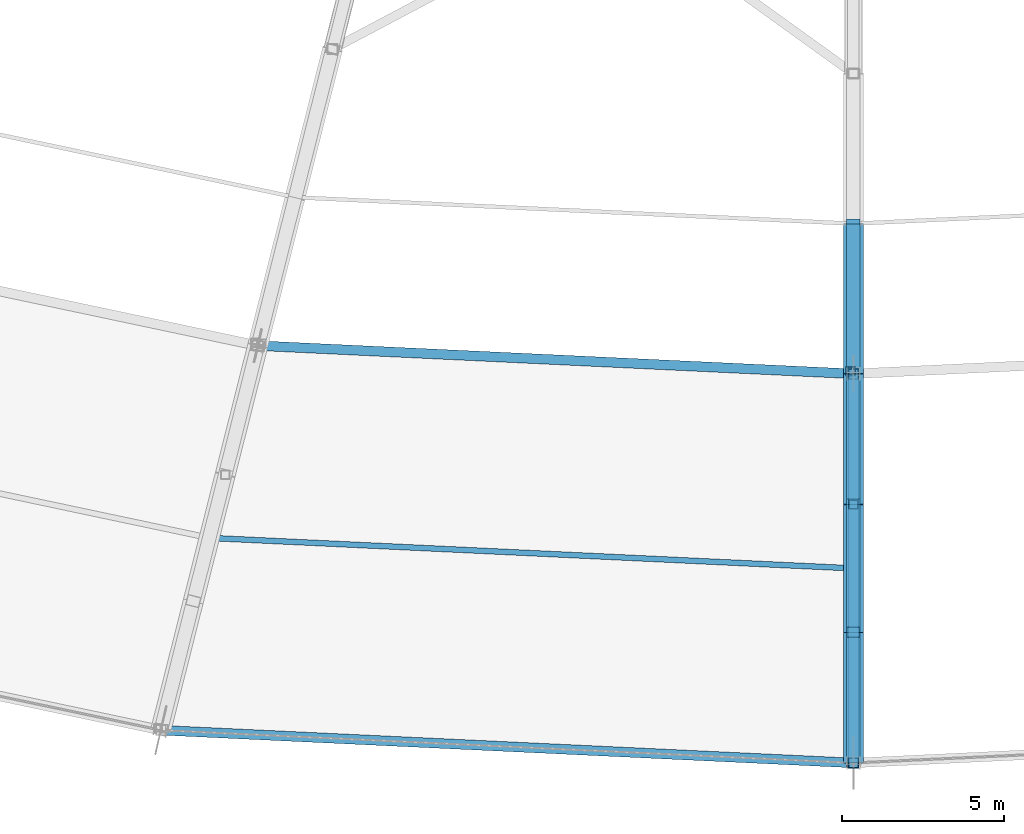
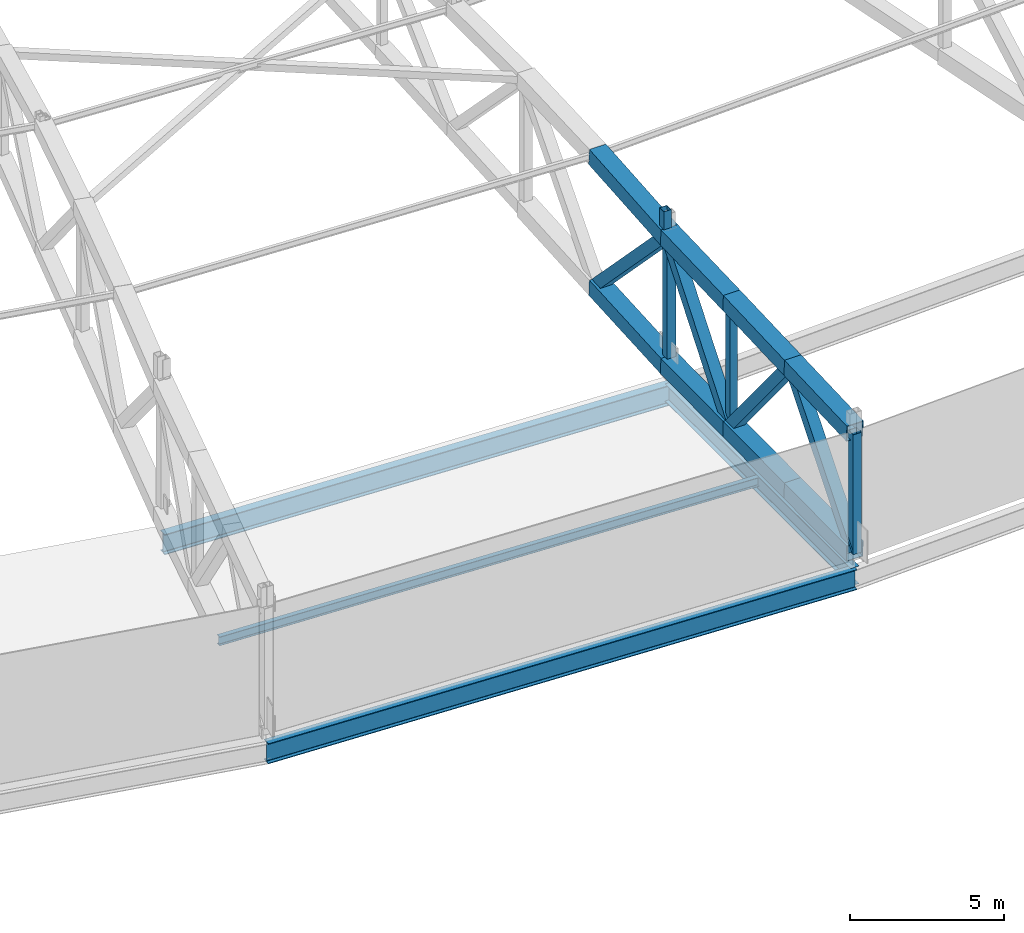
# One storey, part 26 of 162: 16 members, 4 beams.
"""IFC4 building model written with IfcOpenShell, lengths in metres."""

from ifc_helpers import new_model, si_unit, direction, frame, origin, origin_2d, place, context, subcontext, project, spatial, hollow_rectangle, i_section, extrude, material, material_profile, profile_set, type_object, element, save


model = new_model("IFC4")

# Units and contexts
model_context = context("Model", 3, precision=1e-05, world=origin(), true_north=direction((0.0, 1.0)))
body_context = subcontext(model_context, "Body", "Model", "MODEL_VIEW")
ifc_project = project(units=[si_unit("LENGTHUNIT", "METRE"), si_unit("AREAUNIT", "SQUARE_METRE"), si_unit("VOLUMEUNIT", "CUBIC_METRE"), si_unit("PLANEANGLEUNIT", "RADIAN"), si_unit("MASSUNIT", "GRAM", prefix="KILO")], contexts=[model_context])

# Site, building, storey
site_placement = place(None, origin())
site = spatial("IfcSite", under=ifc_project, at=site_placement, CompositionType="ELEMENT")
building_placement = place(site_placement, origin())
building = spatial("IfcBuilding", under=site, at=building_placement, Name="Kazemori Nagisa Stadium", CompositionType="ELEMENT")
storey_placement = place(building_placement, frame((0.0, 0.0, 36.719970703125)))
storey = spatial("IfcBuildingStorey", under=building, at=storey_placement, Name="RF", CompositionType="ELEMENT", Elevation=36.719970703125)

# Beams
ifc_material_1 = material(Name="Steel SN490B", Category="steel")
ifc_material_profile_1 = material_profile(ifc_material_1, i_section(OverallWidth=0.300048828125, OverallDepth=0.699951171875, WebThickness=0.012939453125, FlangeThickness=0.02392578125, FilletRadius=0.01806640625, at=origin_2d()), Name="H-700x300x13x24")
ifc_profile_set_1 = profile_set([ifc_material_profile_1], Name="Steel SN490B")
beam_type_1 = type_object("IfcBeamType", Name="Beam_BG-H700", PredefinedType="BEAM", material=ifc_profile_set_1)
beam_1_placement = place(storey_placement, frame((123.0, 28.0400390625, -0.6298828125), z_axis=(0.0, -1.0, 0.0), x_axis=(1.0, 0.0, 0.0)))
element("IfcBeam", 1, at=beam_1_placement, inside=storey, type_object=beam_type_1, Name="Radial girder BG-H700 RF R2-R3-22", PredefinedType="BEAM", context=body_context, shape_type="SweptSolid", body=[
    extrude(i_section(OverallWidth=0.300048828125, OverallDepth=0.699951171875, WebThickness=0.012939453125, FlangeThickness=0.02392578125, FilletRadius=0.01806640625, at=origin_2d()), origin(), (0.0, 0.0, 1.0), 12.0400390625),
])
ifc_material_profile_2 = material_profile(ifc_material_1, i_section(OverallWidth=0.300048828125, OverallDepth=0.800048828125, WebThickness=0.013916015625, FlangeThickness=0.02587890625, FilletRadius=0.01806640625, at=origin_2d()), Name="H-800x300x14x26")
ifc_profile_set_2 = profile_set([ifc_material_profile_2], Name="Steel SN490B")
beam_type_2 = type_object("IfcBeamType", Name="Beam_BG-H800", PredefinedType="BEAM", material=ifc_profile_set_2)
beam_2_placement = place(storey_placement, frame((104.572265625, 28.911376953125, -0.679931640625), z_axis=(0.9988839804, -0.047231278829, 0.0), x_axis=(0.047231278829, 0.9988839804, 0.0)))
element("IfcBeam", 2, at=beam_2_placement, inside=storey, type_object=beam_type_2, Name="Ring girder BG-H800 RF R2-21", PredefinedType="BEAM", context=body_context, shape_type="SweptSolid", body=[
    extrude(i_section(OverallWidth=0.300048828125, OverallDepth=0.800048828125, WebThickness=0.013916015625, FlangeThickness=0.02587890625, FilletRadius=0.01806640625, at=origin_2d()), origin(), (0.0, 0.0, 1.0), 18.4482421875),
])
beam_3_placement = place(storey_placement, frame((101.572265625, 17.01318359375, -0.679931640625), z_axis=(0.998883994571, -0.047230979144, 0.0), x_axis=(0.047230979144, 0.998883994571, 0.0)))
element("IfcBeam", 3, at=beam_3_placement, inside=storey, type_object=beam_type_2, Name="Roof compression ring beam BG-H800 R3-21", PredefinedType="BEAM", context=body_context, shape_type="SweptSolid", body=[
    extrude(i_section(OverallWidth=0.300048828125, OverallDepth=0.800048828125, WebThickness=0.013916015625, FlangeThickness=0.02587890625, FilletRadius=0.01806640625, at=origin_2d()), origin(), (0.0, 0.0, 1.0), 21.45166015625),
])
ifc_material_profile_3 = material_profile(ifc_material_1, i_section(OverallWidth=0.175048828125, OverallDepth=0.35009765625, WebThickness=0.007080078125, FlangeThickness=0.010986328125, FilletRadius=0.012939453125, at=origin_2d()), Name="H-350x175x7x11")
ifc_profile_set_3 = profile_set([ifc_material_profile_3], Name="Steel SN490B")
beam_type_3 = type_object("IfcBeamType", Name="Beam_BJ-H350", PredefinedType="JOIST", material=ifc_profile_set_3)
beam_4_placement = place(storey_placement, frame((103.217041015625, 22.955322265625, -0.455078125), z_axis=(0.998884234836, -0.047225897525, 0.0), x_axis=(0.047225897525, 0.998884234836, 0.0)))
element("IfcBeam", 4, at=beam_4_placement, inside=storey, type_object=beam_type_3, Name="Outer bay joist BJ-H350 RF B21", PredefinedType="JOIST", context=body_context, shape_type="SweptSolid", body=[
    extrude(i_section(OverallWidth=0.175048828125, OverallDepth=0.35009765625, WebThickness=0.007080078125, FlangeThickness=0.010986328125, FilletRadius=0.012939453125, at=origin_2d()), origin(), (0.0, 0.0, 1.0), 19.66015625),
])

# Members
ifc_material_2 = material(Name="Steel STKR490", Category="steel")
ifc_material_profile_4 = material_profile(ifc_material_2, hollow_rectangle(XDim=0.280029296875, YDim=0.280029296875, WallThickness=0.010009765625, at=origin_2d()), Name="SHS-280x280x10")
ifc_profile_set_4 = profile_set([ifc_material_profile_4], Name="Steel STKR490")
member_type_1 = type_object("IfcMemberType", Name="Member_ST-SHS280", PredefinedType="STUD", material=ifc_profile_set_4)
member_1_placement = place(storey_placement, frame((122.909912109375, 28.119384765625, 5.56005859375), z_axis=(0.0, 0.0, 1.0), x_axis=(1.0, 0.0, 0.0)))
element("IfcMember", 5, at=member_1_placement, inside=storey, type_object=member_type_1, Name="Canopy bearing stool B21-mid-2", PredefinedType="STUD", context=body_context, shape_type="SweptSolid", body=[
    extrude(hollow_rectangle(XDim=0.280029296875, YDim=0.280029296875, WallThickness=0.010009765625, at=origin_2d()), origin(), (0.0, 0.0, 1.0), 1.02099609375),
])
ifc_material_profile_5 = material_profile(ifc_material_2, hollow_rectangle(XDim=0.419921875, YDim=0.419921875, WallThickness=0.01611328125, at=origin_2d()), Name="SHS-420x420x16")
ifc_profile_set_5 = profile_set([ifc_material_profile_5], Name="Steel STKR490")
member_type_2 = type_object("IfcMemberType", Name="Member_TB-SHS420", PredefinedType="BRACE", material=ifc_profile_set_5)
member_2_placement = place(storey_placement, frame((123.0, 16.0, 0.360107421875), z_axis=(0.0, 0.636342931548, 0.771406295975), x_axis=(-1.0, 0.0, 0.0)))
element("IfcMember", 6, at=member_2_placement, inside=storey, type_object=member_type_2, Name="Roof space truss diagonal RT-22-1", PredefinedType="BRACE", context=body_context, shape_type="SweptSolid", body=[
    extrude(hollow_rectangle(XDim=0.419921875, YDim=0.419921875, WallThickness=0.01611328125, at=origin_2d()), origin(), (0.0, 0.0, 1.0), 6.351806640625),
])
member_3_placement = place(storey_placement, frame((123.0, 20.0419921875, 5.260009765625), z_axis=(0.0, 0.634424601348, -0.772984750952), x_axis=(-1.0, 0.0, 0.0)))
element("IfcMember", 7, at=member_3_placement, inside=storey, type_object=member_type_2, Name="Roof space truss diagonal RT-22-2", PredefinedType="BRACE", context=body_context, shape_type="SweptSolid", body=[
    extrude(hollow_rectangle(XDim=0.419921875, YDim=0.419921875, WallThickness=0.01611328125, at=origin_2d()), origin(), (0.0, 0.0, 1.0), 6.235595703125),
])
member_4_placement = place(storey_placement, frame((123.0, 23.998046875, 0.43994140625), z_axis=(0.0, 0.619624872853, 0.784898093348), x_axis=(-1.0, 0.0, 0.0)))
element("IfcMember", 8, at=member_4_placement, inside=storey, type_object=member_type_2, Name="Roof space truss diagonal RT-22-3", PredefinedType="BRACE", context=body_context, shape_type="SweptSolid", body=[
    extrude(hollow_rectangle(XDim=0.419921875, YDim=0.419921875, WallThickness=0.01611328125, at=origin_2d()), origin(), (0.0, 0.0, 1.0), 6.523193359375),
])
member_5_placement = place(storey_placement, frame((123.0, 28.0400390625, 5.56005859375), z_axis=(0.0, 0.69533130382, -0.718689347304), x_axis=(-1.0, 0.0, 0.0)))
element("IfcMember", 9, at=member_5_placement, inside=storey, type_object=member_type_2, Name="Roof space truss diagonal RT-22-4", PredefinedType="BRACE", context=body_context, shape_type="SweptSolid", body=[
    extrude(hollow_rectangle(XDim=0.419921875, YDim=0.419921875, WallThickness=0.01611328125, at=origin_2d()), origin(), (0.0, 0.0, 1.0), 6.678955078125),
])
ifc_material_profile_6 = material_profile(ifc_material_2, hollow_rectangle(XDim=0.6201171875, YDim=0.6201171875, WallThickness=0.02197265625, at=origin_2d()), Name="SHS-620x620x22")
ifc_profile_set_6 = profile_set([ifc_material_profile_6], Name="Steel STKR490")
member_type_3 = type_object("IfcMemberType", Name="Member_TC-SHS620", PredefinedType="CHORD", material=ifc_profile_set_6)
member_6_placement = place(storey_placement, frame((123.0, 16.0, 5.10009765625), z_axis=(0.0, 0.999218314036, 0.039531770699), x_axis=(-1.0, 0.0, 0.0)))
element("IfcMember", 10, at=member_6_placement, inside=storey, type_object=member_type_3, Name="Roof space truss top chord RT-22-1", PredefinedType="CHORD", context=body_context, shape_type="SweptSolid", body=[
    extrude(hollow_rectangle(XDim=0.6201171875, YDim=0.6201171875, WallThickness=0.02197265625, at=origin_2d()), origin(), (0.0, 0.0, 1.0), 4.045166015625),
])
member_7_placement = place(storey_placement, frame((123.0, 16.0, 0.360107421875), z_axis=(0.0, 0.999950941428, 0.009905288378), x_axis=(-1.0, 0.0, 0.0)))
element("IfcMember", 11, at=member_7_placement, inside=storey, type_object=member_type_3, Name="Roof space truss bottom chord RT-22-1", PredefinedType="CHORD", context=body_context, shape_type="SweptSolid", body=[
    extrude(hollow_rectangle(XDim=0.6201171875, YDim=0.6201171875, WallThickness=0.02197265625, at=origin_2d()), origin(), (0.0, 0.0, 1.0), 4.042236328125),
])
member_8_placement = place(storey_placement, frame((123.0, 20.0419921875, 5.260009765625), z_axis=(0.0, 0.999184025996, 0.040389134598), x_axis=(-1.0, 0.0, 0.0)))
element("IfcMember", 12, at=member_8_placement, inside=storey, type_object=member_type_3, Name="Roof space truss top chord RT-22-2", PredefinedType="CHORD", context=body_context, shape_type="SweptSolid", body=[
    extrude(hollow_rectangle(XDim=0.6201171875, YDim=0.6201171875, WallThickness=0.02197265625, at=origin_2d()), origin(), (0.0, 0.0, 1.0), 3.959228515625),
])
member_9_placement = place(storey_placement, frame((123.0, 20.0419921875, 0.400146484375), z_axis=(0.0, 0.999949409638, 0.01005873573), x_axis=(-1.0, 0.0, 0.0)))
element("IfcMember", 13, at=member_9_placement, inside=storey, type_object=member_type_3, Name="Roof space truss bottom chord RT-22-2", PredefinedType="CHORD", context=body_context, shape_type="SweptSolid", body=[
    extrude(hollow_rectangle(XDim=0.6201171875, YDim=0.6201171875, WallThickness=0.02197265625, at=origin_2d()), origin(), (0.0, 0.0, 1.0), 3.956298828125),
])
member_10_placement = place(storey_placement, frame((123.0, 23.998046875, 5.419921875), z_axis=(0.0, 0.999399529543, 0.034649391759), x_axis=(-1.0, 0.0, 0.0)))
element("IfcMember", 14, at=member_10_placement, inside=storey, type_object=member_type_3, Name="Roof space truss top chord RT-22-3", PredefinedType="CHORD", context=body_context, shape_type="SweptSolid", body=[
    extrude(hollow_rectangle(XDim=0.6201171875, YDim=0.6201171875, WallThickness=0.02197265625, at=origin_2d()), origin(), (0.0, 0.0, 1.0), 4.04443359375),
])
member_11_placement = place(storey_placement, frame((123.0, 23.998046875, 0.43994140625), z_axis=(0.0, 0.999950941428, 0.009905288378), x_axis=(-1.0, 0.0, 0.0)))
element("IfcMember", 15, at=member_11_placement, inside=storey, type_object=member_type_3, Name="Roof space truss bottom chord RT-22-3", PredefinedType="CHORD", context=body_context, shape_type="SweptSolid", body=[
    extrude(hollow_rectangle(XDim=0.6201171875, YDim=0.6201171875, WallThickness=0.02197265625, at=origin_2d()), origin(), (0.0, 0.0, 1.0), 4.042236328125),
])
member_12_placement = place(storey_placement, frame((123.0, 28.0400390625, 5.56005859375), z_axis=(0.0, 0.996843376654, 0.079393213943), x_axis=(-1.0, 0.0, 0.0)))
element("IfcMember", 16, at=member_12_placement, inside=storey, type_object=member_type_3, Name="Roof space truss top chord RT-22-4", PredefinedType="CHORD", context=body_context, shape_type="SweptSolid", body=[
    extrude(hollow_rectangle(XDim=0.6201171875, YDim=0.6201171875, WallThickness=0.02197265625, at=origin_2d()), origin(), (0.0, 0.0, 1.0), 4.65869140625),
])
member_13_placement = place(storey_placement, frame((123.0, 28.0400390625, 0.47998046875), z_axis=(0.0, 0.99818698182, 0.060189279158), x_axis=(-1.0, 0.0, 0.0)))
element("IfcMember", 17, at=member_13_placement, inside=storey, type_object=member_type_3, Name="Roof space truss bottom chord RT-22-4", PredefinedType="CHORD", context=body_context, shape_type="SweptSolid", body=[
    extrude(hollow_rectangle(XDim=0.6201171875, YDim=0.6201171875, WallThickness=0.02197265625, at=origin_2d()), origin(), (0.0, 0.0, 1.0), 4.652587890625),
])
ifc_material_profile_7 = material_profile(ifc_material_2, hollow_rectangle(XDim=0.280029296875, YDim=0.280029296875, WallThickness=0.010009765625, at=origin_2d()), Name="SHS-280x280x10")
ifc_profile_set_7 = profile_set([ifc_material_profile_7], Name="Steel STKR490")
member_type_4 = type_object("IfcMemberType", Name="Member_TS-SHS280", PredefinedType="STRUT", material=ifc_profile_set_7)
member_14_placement = place(storey_placement, frame((123.0, 23.998046875, 0.43994140625), z_axis=(0.0, 0.0, 1.0), x_axis=(1.0, 0.0, 0.0)))
element("IfcMember", 18, at=member_14_placement, inside=storey, type_object=member_type_4, Name="Roof space truss strut RT-22-3", PredefinedType="STRUT", context=body_context, shape_type="SweptSolid", body=[
    extrude(hollow_rectangle(XDim=0.280029296875, YDim=0.280029296875, WallThickness=0.010009765625, at=origin_2d()), origin(), (0.0, 0.0, 1.0), 4.97998046875),
])
ifc_material_profile_8 = material_profile(ifc_material_2, hollow_rectangle(XDim=0.320068359375, YDim=0.320068359375, WallThickness=0.011962890625, at=origin_2d()), Name="SHS-320x320x12")
ifc_profile_set_8 = profile_set([ifc_material_profile_8], Name="Steel STKR490")
member_type_5 = type_object("IfcMemberType", Name="Member_TS-SHS320", PredefinedType="STRUT", material=ifc_profile_set_8)
member_15_placement = place(storey_placement, frame((123.0, 16.0, 0.360107421875), z_axis=(0.0, 0.0, 1.0), x_axis=(1.0, 0.0, 0.0)))
element("IfcMember", 19, at=member_15_placement, inside=storey, type_object=member_type_5, Name="Roof space truss strut RT-22-1", PredefinedType="STRUT", context=body_context, shape_type="SweptSolid", body=[
    extrude(hollow_rectangle(XDim=0.320068359375, YDim=0.320068359375, WallThickness=0.011962890625, at=origin_2d()), origin(), (0.0, 0.0, 1.0), 4.739990234375),
])
member_16_placement = place(storey_placement, frame((123.0, 28.0400390625, 0.47998046875), z_axis=(0.0, 0.0, 1.0), x_axis=(1.0, 0.0, 0.0)))
element("IfcMember", 20, at=member_16_placement, inside=storey, type_object=member_type_5, Name="Roof space truss strut RT-22-4", PredefinedType="STRUT", context=body_context, shape_type="SweptSolid", body=[
    extrude(hollow_rectangle(XDim=0.320068359375, YDim=0.320068359375, WallThickness=0.011962890625, at=origin_2d()), origin(), (0.0, 0.0, 1.0), 5.080078125),
])

save(model, "model.ifc")
